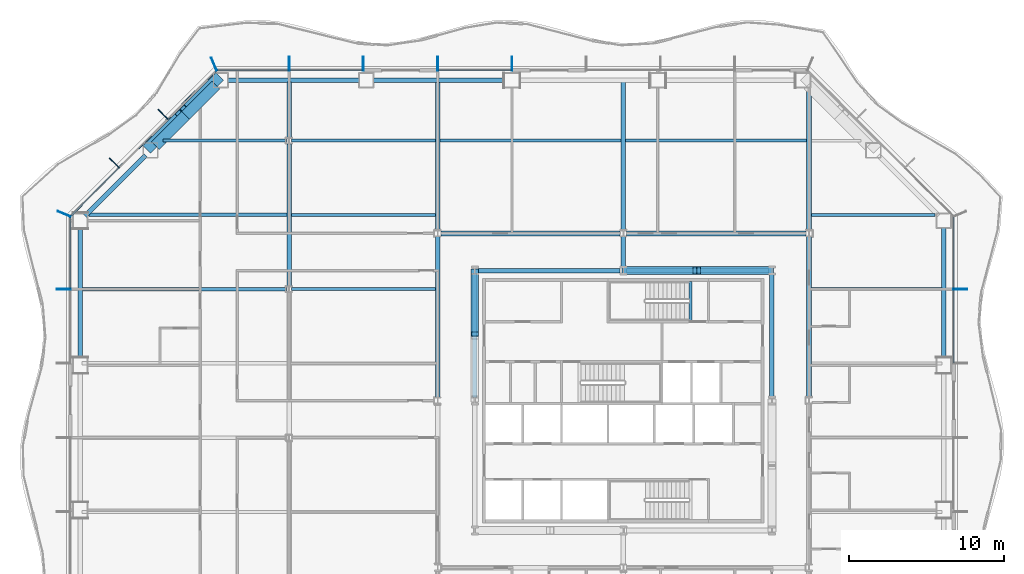
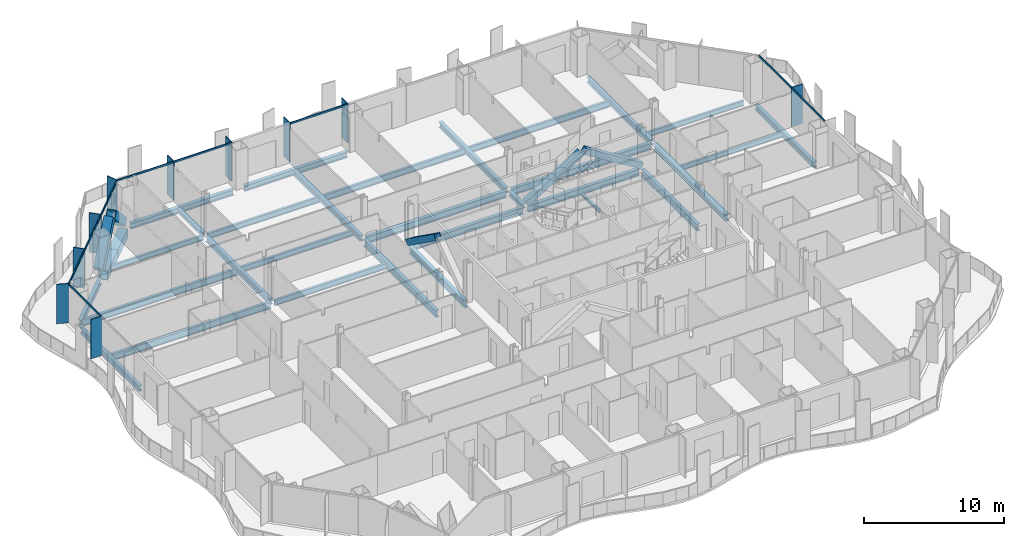
# One storey, part 3 of 21: 32 beams, 24 members, 4 elements without a shape of their own.
"""IFC4 building model written with IfcOpenShell, lengths in metres."""

from ifc_helpers import new_model, si_unit, direction, frame, origin, origin_2d, place, context, subcontext, project, spatial, rectangle, hollow_rectangle, i_section, extrude, material, material_profile, profile_set, type_object, element, aggregate, save


model = new_model("IFC4")

# Units and contexts
model_context = context("Model", 3, precision=1e-05, world=origin(), true_north=direction((0.0, 1.0)))
body_context = subcontext(model_context, "Body", "Model", "MODEL_VIEW")
ifc_project = project(units=[si_unit("LENGTHUNIT", "METRE"), si_unit("AREAUNIT", "SQUARE_METRE"), si_unit("VOLUMEUNIT", "CUBIC_METRE"), si_unit("PLANEANGLEUNIT", "RADIAN"), si_unit("MASSUNIT", "GRAM", prefix="KILO")], contexts=[model_context])

# Site, building, storey
site_placement = place(None, origin())
site = spatial("IfcSite", under=ifc_project, at=site_placement, CompositionType="ELEMENT")
building_placement = place(site_placement, origin())
building = spatial("IfcBuilding", under=site, at=building_placement, Name="Cairn Pilgrim Tower", CompositionType="ELEMENT")
storey_placement = place(building_placement, frame((0.0, 0.0, 47.39990234375)))
storey = spatial("IfcBuildingStorey", under=building, at=storey_placement, Name="L09", CompositionType="ELEMENT", Elevation=47.39990234375)

# Members
ifc_material_1 = material(Name="Structural steel S460M", Category="steel")
ifc_material_profile_1 = material_profile(ifc_material_1, hollow_rectangle(XDim=0.5, YDim=0.5, WallThickness=0.030029296875, at=origin_2d()), Name="BOX 500x500x30")
ifc_profile_set_1 = profile_set([ifc_material_profile_1], Name="Structural steel S460M")
member_type_1 = type_object("IfcMemberType", Name="BOX 500x500x30 BRACE", PredefinedType="BRACE", material=ifc_profile_set_1)
member_1_placement = place(storey_placement, frame((16.754638671875, 10.800048828125, 0.10009765625), z_axis=(-0.850917090612, 0.0, 0.525300014187), x_axis=(0.0, -1.0, 0.0)))
element("IfcMember", 1, at=member_1_placement, inside=storey, type_object=member_type_1, Name="KB-3A", PredefinedType="BRACE", context=body_context, shape_type="SweptSolid", body=[
    extrude(hollow_rectangle(XDim=0.5, YDim=0.5, WallThickness=0.030029296875, at=origin_2d()), origin(), (0.0, 0.0, 1.0), 5.525146484375),
])
member_2_placement = place(storey_placement, frame((7.245361328125, 10.800048828125, 0.10009765625), z_axis=(0.850919818074, 0.0, 0.52529559603), x_axis=(0.0, 1.0, 0.0)))
element("IfcMember", 2, at=member_2_placement, inside=storey, type_object=member_type_1, Name="KB-3B", PredefinedType="BRACE", context=body_context, shape_type="SweptSolid", body=[
    extrude(hollow_rectangle(XDim=0.5, YDim=0.5, WallThickness=0.030029296875, at=origin_2d()), origin(), (0.0, 0.0, 1.0), 5.375),
])
member_3_placement = place(storey_placement, frame((-2.39990234375, 10.754638671875, 0.10009765625), z_axis=(0.0, -0.814083383497, 0.580748004486), x_axis=(1.0, 0.0, 0.0)))
element("IfcMember", 3, at=member_3_placement, inside=storey, type_object=member_type_1, Name="KB-4A", PredefinedType="BRACE", context=body_context, shape_type="SweptSolid", body=[
    extrude(hollow_rectangle(XDim=0.5, YDim=0.5, WallThickness=0.030029296875, at=origin_2d()), origin(), (0.0, 0.0, 1.0), 4.9951171875),
])
ifc_material_profile_2 = material_profile(ifc_material_1, hollow_rectangle(XDim=0.699951171875, YDim=0.699951171875, WallThickness=0.0400390625, at=origin_2d()), Name="BOX 700x700x40")
ifc_profile_set_2 = profile_set([ifc_material_profile_2], Name="Structural steel S460M")
member_type_2 = type_object("IfcMemberType", Name="BOX 700x700x40 BRACE", PredefinedType="BRACE", material=ifc_profile_set_2)
member_4_placement = place(storey_placement, frame((-19.0498046875, 23.181396484375, 0.150146484375), z_axis=(-0.528118110354, -0.528118110354, 0.664968061663), x_axis=(0.707106781187, -0.707106781187, 0.0)))
element("IfcMember", 4, at=member_4_placement, inside=storey, type_object=member_type_2, Name="XB-NW1-NW2-1", PredefinedType="BRACE", context=body_context, shape_type="SweptSolid", body=[
    extrude(hollow_rectangle(XDim=0.699951171875, YDim=0.699951171875, WallThickness=0.0400390625, at=origin_2d()), origin(), (0.0, 0.0, 1.0), 3.89990234375),
])
member_5_placement = place(storey_placement, frame((-23.44482421875, 18.786376953125, 0.150146484375), z_axis=(0.528090425698, 0.528090425698, 0.665012033404), x_axis=(-0.707106781187, 0.707106781187, 0.0)))
element("IfcMember", 5, at=member_5_placement, inside=storey, type_object=member_type_2, Name="XB-NW1-NW2-2", PredefinedType="BRACE", context=body_context, shape_type="SweptSolid", body=[
    extrude(hollow_rectangle(XDim=0.699951171875, YDim=0.699951171875, WallThickness=0.0400390625, at=origin_2d()), origin(), (0.0, 0.0, 1.0), 3.899658203125),
])

# Beams
ifc_material_2 = material(Name="Structural steel S355J2", Category="steel")
ifc_material_profile_3 = material_profile(ifc_material_2, hollow_rectangle(XDim=0.699951171875, YDim=0.800048828125, WallThickness=0.0400390625, at=origin_2d()), Name="BOX 700x800x40")
ifc_profile_set_3 = profile_set([ifc_material_profile_3], Name="Structural steel S355J2")
beam_type_1 = type_object("IfcBeamType", Name="BOX 700x800x40 RING GIRDER", PredefinedType="SPANDREL", material=ifc_profile_set_3)
for number, where, z_axis, x_axis, name in (
    (6, (-19.1455078125, 22.78173828125, -0.5498046875), (-0.707106781187, -0.707106781187, 0.0), (0.707106781187, -0.707106781187, 0.0), "RG1-NW1-NW2-1"),
    (7, (-21.095458984375, 20.831787109375, -0.5498046875), (-0.707106781187, -0.707106781187, 0.0), (0.707106781187, -0.707106781187, 0.0), "RG1-NW1-NW2-2"),
):
    element("IfcBeam", number, at=place(storey_placement, frame(where, z_axis=z_axis, x_axis=x_axis)), inside=storey, type_object=beam_type_1, Name=name, PredefinedType="SPANDREL", context=body_context, shape_type="SweptSolid", body=[
        extrude(hollow_rectangle(XDim=0.699951171875, YDim=0.800048828125, WallThickness=0.0400390625, at=origin_2d()), origin(), (0.0, 0.0, 1.0), 2.757568359375),
    ])

# Curtain wall, member
ifc_material_3 = material(Name="Aluminium alloy 6063-T6 bronze anodised with Bronze tinted laminated low-E glass 8+16+8.8", Category="aluminium")
curtain_wall_type_1 = type_object("IfcCurtainWallType", Name="TOWER STICK CURTAIN WALL EW", PredefinedType="NOTDEFINED", material=ifc_material_3)
curtain_wall_1_placement = place(storey_placement, origin())
curtain_wall_1 = element("IfcCurtainWall", 8, at=curtain_wall_1_placement, inside=storey, type_object=curtain_wall_type_1, Name="Tower Stick Curtain Wall Ew E", PredefinedType="NOTDEFINED")
ifc_material_4 = material(Name="Aluminium alloy 6063-T6 bronze anodised", Category="aluminium")
ifc_material_profile_4 = material_profile(ifc_material_4, rectangle(XDim=0.89990234375, YDim=0.06005859375, at=origin_2d()), Name="FIN MULLION 60x900 BRONZE")
ifc_profile_set_4 = profile_set([ifc_material_profile_4], Name="Aluminium alloy 6063-T6 bronze anodised")
member_type_3 = type_object("IfcMemberType", Name="FIN MULLION 60x900 BRONZE", PredefinedType="MULLION", material=ifc_profile_set_4)
member_6_placement = place(storey_placement, frame((28.969970703125, 9.60009765625, 0.0), z_axis=(0.0, 0.0, 1.0), x_axis=(1.0, 0.0, 0.0)))
member_6 = element("IfcMember", 9, at=member_6_placement, type_object=member_type_3, Name="Fin mullion E6", PredefinedType="MULLION", context=body_context, shape_type="SweptSolid", body=[
    extrude(rectangle(XDim=0.89990234375, YDim=0.06005859375, at=origin_2d()), origin(), (0.0, 0.0, 1.0), 3.4501953125),
])

# Curtain wall, members
curtain_wall_type_2 = type_object("IfcCurtainWallType", Name="TOWER STICK CURTAIN WALL NS", PredefinedType="NOTDEFINED", material=ifc_material_3)
curtain_wall_2_placement = place(storey_placement, origin())
curtain_wall_2 = element("IfcCurtainWall", 10, at=curtain_wall_2_placement, inside=storey, type_object=curtain_wall_type_2, Name="Tower Stick Curtain Wall Ns N", PredefinedType="NOTDEFINED")
member_7_placement = place(storey_placement, frame((0.0, 24.169921875, 0.0), z_axis=(0.0, 0.0, 1.0), x_axis=(0.0, 1.0, 0.0)))
member_7 = element("IfcMember", 11, at=member_7_placement, type_object=member_type_3, Name="Fin mullion N5", PredefinedType="MULLION", context=body_context, shape_type="SweptSolid", body=[
    extrude(rectangle(XDim=0.89990234375, YDim=0.06005859375, at=origin_2d()), origin(), (0.0, 0.0, 1.0), 3.4501953125),
])
member_8_placement = place(storey_placement, frame((-4.800048828125, 24.169921875, 0.0), z_axis=(0.0, 0.0, 1.0), x_axis=(0.0, 1.0, 0.0)))
member_8 = element("IfcMember", 12, at=member_8_placement, type_object=member_type_3, Name="Fin mullion N6", PredefinedType="MULLION", context=body_context, shape_type="SweptSolid", body=[
    extrude(rectangle(XDim=0.89990234375, YDim=0.06005859375, at=origin_2d()), origin(), (0.0, 0.0, 1.0), 3.4501953125),
])
member_9_placement = place(storey_placement, frame((-9.60009765625, 24.169921875, 0.0), z_axis=(0.0, 0.0, 1.0), x_axis=(0.0, 1.0, 0.0)))
member_9 = element("IfcMember", 13, at=member_9_placement, type_object=member_type_3, Name="Fin mullion N7", PredefinedType="MULLION", context=body_context, shape_type="SweptSolid", body=[
    extrude(rectangle(XDim=0.89990234375, YDim=0.06005859375, at=origin_2d()), origin(), (0.0, 0.0, 1.0), 3.4501953125),
])
member_10_placement = place(storey_placement, frame((-14.39990234375, 24.169921875, 0.0), z_axis=(0.0, 0.0, 1.0), x_axis=(0.0, 1.0, 0.0)))
member_10 = element("IfcMember", 14, at=member_10_placement, type_object=member_type_3, Name="Fin mullion N8", PredefinedType="MULLION", context=body_context, shape_type="SweptSolid", body=[
    extrude(rectangle(XDim=0.89990234375, YDim=0.06005859375, at=origin_2d()), origin(), (0.0, 0.0, 1.0), 3.4501953125),
])

curtain_wall_type_3 = type_object("IfcCurtainWallType", Name="CHAMFER CORNER CURTAIN WALL", PredefinedType="NOTDEFINED", material=ifc_material_3)
curtain_wall_3_placement = place(storey_placement, origin())
curtain_wall_3 = element("IfcCurtainWall", 15, at=curtain_wall_3_placement, inside=storey, type_object=curtain_wall_type_3, Name="Chamfer Corner Curtain Wall NW", PredefinedType="NOTDEFINED")
member_11_placement = place(storey_placement, frame((-19.257080078125, 24.137939453125, 0.0), z_axis=(0.0, 0.0, 1.0), x_axis=(-0.382683432365, 0.923879532511, 0.0)))
member_11 = element("IfcMember", 16, at=member_11_placement, type_object=member_type_3, Name="Fin mullion NW1", PredefinedType="MULLION", context=body_context, shape_type="SweptSolid", body=[
    extrude(rectangle(XDim=0.89990234375, YDim=0.06005859375, at=origin_2d()), origin(), (0.0, 0.0, 1.0), 3.4501953125),
])
member_12_placement = place(storey_placement, frame((-22.544677734375, 20.895751953125, 0.0), z_axis=(0.0, 0.0, 1.0), x_axis=(-0.707106781187, 0.707106781187, 0.0)))
member_12 = element("IfcMember", 17, at=member_12_placement, type_object=member_type_3, Name="Fin mullion NW2", PredefinedType="MULLION", context=body_context, shape_type="SweptSolid", body=[
    extrude(rectangle(XDim=0.89990234375, YDim=0.06005859375, at=origin_2d()), origin(), (0.0, 0.0, 1.0), 3.4501953125),
])
member_13_placement = place(storey_placement, frame((-25.69580078125, 17.74462890625, 0.0), z_axis=(0.0, 0.0, 1.0), x_axis=(-0.707106781187, 0.707106781187, 0.0)))
member_13 = element("IfcMember", 18, at=member_13_placement, type_object=member_type_3, Name="Fin mullion NW3", PredefinedType="MULLION", context=body_context, shape_type="SweptSolid", body=[
    extrude(rectangle(XDim=0.89990234375, YDim=0.06005859375, at=origin_2d()), origin(), (0.0, 0.0, 1.0), 3.4501953125),
])

curtain_wall_4_placement = place(storey_placement, origin())
curtain_wall_4 = element("IfcCurtainWall", 19, at=curtain_wall_4_placement, inside=storey, type_object=curtain_wall_type_1, Name="Tower Stick Curtain Wall Ew W", PredefinedType="NOTDEFINED")
member_14_placement = place(storey_placement, frame((-28.93798828125, 14.457275390625, 0.0), z_axis=(0.0, 0.0, 1.0), x_axis=(-0.923879532511, 0.382683432365, 0.0)))
member_14 = element("IfcMember", 20, at=member_14_placement, type_object=member_type_3, Name="Fin mullion W1", PredefinedType="MULLION", context=body_context, shape_type="SweptSolid", body=[
    extrude(rectangle(XDim=0.89990234375, YDim=0.06005859375, at=origin_2d()), origin(), (0.0, 0.0, 1.0), 3.4501953125),
])
member_15_placement = place(storey_placement, frame((-28.969970703125, 9.60009765625, 0.0), z_axis=(0.0, 0.0, 1.0), x_axis=(-1.0, 0.0, 0.0)))
member_15 = element("IfcMember", 21, at=member_15_placement, type_object=member_type_3, Name="Fin mullion W2", PredefinedType="MULLION", context=body_context, shape_type="SweptSolid", body=[
    extrude(rectangle(XDim=0.89990234375, YDim=0.06005859375, at=origin_2d()), origin(), (0.0, 0.0, 1.0), 3.4501953125),
])

# Beams
ifc_material_profile_5 = material_profile(ifc_material_2, i_section(OverallWidth=0.300048828125, OverallDepth=0.39990234375, WebThickness=0.013427734375, FlangeThickness=0.02392578125, FilletRadius=0.027099609375, at=origin_2d()), Name="HEB 400")
ifc_profile_set_5 = profile_set([ifc_material_profile_5], Name="Structural steel S355J2")
beam_type_2 = type_object("IfcBeamType", Name="HEB 400 GIRDER", PredefinedType="BEAM", material=ifc_profile_set_5)
beam_1_placement = place(storey_placement, frame((-14.39990234375, 19.404541015625, -0.349853515625), z_axis=(0.0, 1.0, 0.0), x_axis=(-1.0, 0.0, 0.0)))
element("IfcBeam", 22, at=beam_1_placement, inside=storey, type_object=beam_type_2, Name="PG1-6", PredefinedType="BEAM", context=body_context, shape_type="SweptSolid", body=[
    extrude(i_section(OverallWidth=0.300048828125, OverallDepth=0.39990234375, WebThickness=0.013427734375, FlangeThickness=0.02392578125, FilletRadius=0.027099609375, at=origin_2d()), origin(), (0.0, 0.0, 1.0), 3.575439453125),
])
beam_2_placement = place(storey_placement, frame((7.199951171875, 11.027099609375, -0.349853515625), z_axis=(0.0, 1.0, 0.0), x_axis=(-1.0, 0.0, 0.0)))
element("IfcBeam", 23, at=beam_2_placement, inside=storey, type_object=beam_type_2, Name="PG3-E2", PredefinedType="BEAM", context=body_context, shape_type="SweptSolid", body=[
    extrude(i_section(OverallWidth=0.300048828125, OverallDepth=0.39990234375, WebThickness=0.013427734375, FlangeThickness=0.02392578125, FilletRadius=0.027099609375, at=origin_2d()), origin(), (0.0, 0.0, 1.0), 1.9609375),
])
ifc_material_profile_6 = material_profile(ifc_material_2, i_section(OverallWidth=0.300048828125, OverallDepth=0.5, WebThickness=0.014404296875, FlangeThickness=0.028076171875, FilletRadius=0.027099609375, at=origin_2d()), Name="HEB 500")
ifc_profile_set_6 = profile_set([ifc_material_profile_6], Name="Structural steel S355J2")
beam_type_3 = type_object("IfcBeamType", Name="HEB 500 GIRDER", PredefinedType="BEAM", material=ifc_profile_set_6)
beam_3_placement = place(storey_placement, frame((-14.39990234375, 9.804443359375, -0.39990234375), z_axis=(0.0, 1.0, 0.0), x_axis=(-1.0, 0.0, 0.0)))
element("IfcBeam", 24, at=beam_3_placement, inside=storey, type_object=beam_type_3, Name="PG1-5", PredefinedType="BEAM", context=body_context, shape_type="SweptSolid", body=[
    extrude(i_section(OverallWidth=0.300048828125, OverallDepth=0.5, WebThickness=0.014404296875, FlangeThickness=0.028076171875, FilletRadius=0.027099609375, at=origin_2d()), origin(), (0.0, 0.0, 1.0), 9.191162109375),
])
for number, where, z_axis, x_axis, name in (
    (25, (-4.800048828125, 13.412109375, -0.39990234375), (0.0, 1.0, 0.0), (-1.0, 0.0, 0.0), "PG2-4"),
    (26, (7.199951171875, 13.412109375, -0.39990234375), (0.0, 1.0, 0.0), (-1.0, 0.0, 0.0), "PG3-2"),
):
    element("IfcBeam", number, at=place(storey_placement, frame(where, z_axis=z_axis, x_axis=x_axis)), inside=storey, type_object=beam_type_3, Name=name, PredefinedType="BEAM", context=body_context, shape_type="SweptSolid", body=[
        extrude(i_section(OverallWidth=0.300048828125, OverallDepth=0.5, WebThickness=0.014404296875, FlangeThickness=0.028076171875, FilletRadius=0.027099609375, at=origin_2d()), origin(), (0.0, 0.0, 1.0), 9.56787109375),
    ])
beam_4_placement = place(storey_placement, frame((19.199951171875, 13.412109375, -0.39990234375), z_axis=(0.0, 1.0, 0.0), x_axis=(-1.0, 0.0, 0.0)))
element("IfcBeam", 27, at=beam_4_placement, inside=storey, type_object=beam_type_3, Name="PG4-4", PredefinedType="BEAM", context=body_context, shape_type="SweptSolid", body=[
    extrude(i_section(OverallWidth=0.300048828125, OverallDepth=0.5, WebThickness=0.014404296875, FlangeThickness=0.028076171875, FilletRadius=0.027099609375, at=origin_2d()), origin(), (0.0, 0.0, 1.0), 9.133056640625),
])
ifc_material_profile_7 = material_profile(ifc_material_2, i_section(OverallWidth=0.300048828125, OverallDepth=0.5, WebThickness=0.014404296875, FlangeThickness=0.028076171875, FilletRadius=0.027099609375, at=origin_2d()), Name="HEB 500")
ifc_profile_set_7 = profile_set([ifc_material_profile_7], Name="Structural steel S355J2")
beam_type_4 = type_object("IfcBeamType", Name="HEB 500 RING GIRDER", PredefinedType="SPANDREL", material=ifc_profile_set_7)
beam_5_placement = place(storey_placement, frame((27.89990234375, 5.125732421875, -0.39990234375), z_axis=(0.0, 1.0, 0.0), x_axis=(-1.0, 0.0, 0.0)))
element("IfcBeam", 28, at=beam_5_placement, inside=storey, type_object=beam_type_4, Name="RG1-E3-NE1", PredefinedType="SPANDREL", context=body_context, shape_type="SweptSolid", body=[
    extrude(i_section(OverallWidth=0.300048828125, OverallDepth=0.5, WebThickness=0.014404296875, FlangeThickness=0.028076171875, FilletRadius=0.027099609375, at=origin_2d()), origin(), (0.0, 0.0, 1.0), 8.451416015625),
])
for number, where, z_axis, x_axis, name in (
    (29, (-0.449951171875, 23.10009765625, -0.39990234375), (-1.0, 0.0, 0.0), (0.0, -1.0, 0.0), "RG1-N3-N4"),
    (30, (-9.863525390625, 23.10009765625, -0.39990234375), (-1.0, 0.0, 0.0), (0.0, -1.0, 0.0), "RG1-N4-NW1"),
):
    element("IfcBeam", number, at=place(storey_placement, frame(where, z_axis=z_axis, x_axis=x_axis)), inside=storey, type_object=beam_type_4, Name=name, PredefinedType="SPANDREL", context=body_context, shape_type="SweptSolid", body=[
        extrude(i_section(OverallWidth=0.300048828125, OverallDepth=0.5, WebThickness=0.014404296875, FlangeThickness=0.028076171875, FilletRadius=0.027099609375, at=origin_2d()), origin(), (0.0, 0.0, 1.0), 8.513671875),
    ])
beam_6_placement = place(storey_placement, frame((-23.681884765625, 18.245361328125, -0.39990234375), z_axis=(-0.707106781187, -0.707106781187, 0.0), x_axis=(0.707106781187, -0.707106781187, 0.0)))
element("IfcBeam", 31, at=beam_6_placement, inside=storey, type_object=beam_type_4, Name="RG1-NW2-W1", PredefinedType="SPANDREL", context=body_context, shape_type="SweptSolid", body=[
    extrude(i_section(OverallWidth=0.300048828125, OverallDepth=0.5, WebThickness=0.014404296875, FlangeThickness=0.028076171875, FilletRadius=0.027099609375, at=origin_2d()), origin(), (0.0, 0.0, 1.0), 5.515380859375),
])
beam_7_placement = place(storey_placement, frame((-27.89990234375, 13.5771484375, -0.39990234375), z_axis=(0.0, -1.0, 0.0), x_axis=(1.0, 0.0, 0.0)))
element("IfcBeam", 32, at=beam_7_placement, inside=storey, type_object=beam_type_4, Name="RG1-W1-W2", PredefinedType="SPANDREL", context=body_context, shape_type="SweptSolid", body=[
    extrude(i_section(OverallWidth=0.300048828125, OverallDepth=0.5, WebThickness=0.014404296875, FlangeThickness=0.028076171875, FilletRadius=0.027099609375, at=origin_2d()), origin(), (0.0, 0.0, 1.0), 8.451416015625),
])
ifc_material_profile_8 = material_profile(ifc_material_2, i_section(OverallWidth=0.300048828125, OverallDepth=0.60009765625, WebThickness=0.015380859375, FlangeThickness=0.030029296875, FilletRadius=0.027099609375, at=origin_2d()), Name="HEB 600")
ifc_profile_set_8 = profile_set([ifc_material_profile_8], Name="Structural steel S355J2")
beam_type_5 = type_object("IfcBeamType", Name="HEB 600 CORE BEAM", PredefinedType="BEAM", material=ifc_profile_set_8)
beam_8_placement = place(storey_placement, frame((16.800048828125, 2.604248046875, -0.449951171875), z_axis=(0.0, 1.0, 0.0), x_axis=(-1.0, 0.0, 0.0)))
element("IfcBeam", 33, at=beam_8_placement, inside=storey, type_object=beam_type_5, Name="CB-4", PredefinedType="BEAM", context=body_context, shape_type="SweptSolid", body=[
    extrude(i_section(OverallWidth=0.300048828125, OverallDepth=0.60009765625, WebThickness=0.015380859375, FlangeThickness=0.030029296875, FilletRadius=0.027099609375, at=origin_2d()), origin(), (0.0, 0.0, 1.0), 7.991455078125),
])
for number, where, z_axis, x_axis, name in (
    (34, (16.595703125, 10.800048828125, -0.449951171875), (-1.0, 0.0, 0.0), (0.0, -1.0, 0.0), "CB-5"),
    (35, (6.99560546875, 10.800048828125, -0.449951171875), (-1.0, 0.0, 0.0), (0.0, -1.0, 0.0), "CB-6"),
):
    element("IfcBeam", number, at=place(storey_placement, frame(where, z_axis=z_axis, x_axis=x_axis)), inside=storey, type_object=beam_type_5, Name=name, PredefinedType="BEAM", context=body_context, shape_type="SweptSolid", body=[
        extrude(i_section(OverallWidth=0.300048828125, OverallDepth=0.60009765625, WebThickness=0.015380859375, FlangeThickness=0.030029296875, FilletRadius=0.027099609375, at=origin_2d()), origin(), (0.0, 0.0, 1.0), 9.19140625),
    ])
beam_9_placement = place(storey_placement, frame((-2.39990234375, 10.595703125, -0.449951171875), z_axis=(0.0, -1.0, 0.0), x_axis=(1.0, 0.0, 0.0)))
element("IfcBeam", 36, at=beam_9_placement, inside=storey, type_object=beam_type_5, Name="CB-7", PredefinedType="BEAM", context=body_context, shape_type="SweptSolid", body=[
    extrude(i_section(OverallWidth=0.300048828125, OverallDepth=0.60009765625, WebThickness=0.015380859375, FlangeThickness=0.030029296875, FilletRadius=0.027099609375, at=origin_2d()), origin(), (0.0, 0.0, 1.0), 7.991455078125),
])
ifc_material_profile_9 = material_profile(ifc_material_2, i_section(OverallWidth=0.300048828125, OverallDepth=0.60009765625, WebThickness=0.015380859375, FlangeThickness=0.030029296875, FilletRadius=0.027099609375, at=origin_2d()), Name="HEB 600")
ifc_profile_set_9 = profile_set([ifc_material_profile_9], Name="Structural steel S355J2")
beam_type_6 = type_object("IfcBeamType", Name="HEB 600 GIRDER", PredefinedType="BEAM", material=ifc_profile_set_9)
for number, where, z_axis, x_axis, name in (
    (37, (-4.800048828125, 2.612060546875, -0.449951171875), (0.0, 1.0, 0.0), (-1.0, 0.0, 0.0), "PG2-3"),
    (38, (19.199951171875, 2.612060546875, -0.449951171875), (0.0, 1.0, 0.0), (-1.0, 0.0, 0.0), "PG4-3"),
):
    element("IfcBeam", number, at=place(storey_placement, frame(where, z_axis=z_axis, x_axis=x_axis)), inside=storey, type_object=beam_type_6, Name=name, PredefinedType="BEAM", context=body_context, shape_type="SweptSolid", body=[
        extrude(i_section(OverallWidth=0.300048828125, OverallDepth=0.60009765625, WebThickness=0.015380859375, FlangeThickness=0.030029296875, FilletRadius=0.027099609375, at=origin_2d()), origin(), (0.0, 0.0, 1.0), 10.3759765625),
    ])
ifc_material_profile_10 = material_profile(ifc_material_2, i_section(OverallWidth=0.300048828125, OverallDepth=0.60009765625, WebThickness=0.015380859375, FlangeThickness=0.030029296875, FilletRadius=0.027099609375, at=origin_2d()), Name="HEB 600")
ifc_profile_set_10 = profile_set([ifc_material_profile_10], Name="Structural steel S355J2")
beam_type_7 = type_object("IfcBeamType", Name="HEB 600 INNER GIRDER", PredefinedType="BEAM", material=ifc_profile_set_10)
for number, where, z_axis, x_axis, name in (
    (39, (-4.587890625, 13.199951171875, -0.449951171875), (1.0, 0.0, 0.0), (0.0, 1.0, 0.0), "IG2-1"),
    (40, (7.412109375, 13.199951171875, -0.449951171875), (1.0, 0.0, 0.0), (0.0, 1.0, 0.0), "IG2-2"),
):
    element("IfcBeam", number, at=place(storey_placement, frame(where, z_axis=z_axis, x_axis=x_axis)), inside=storey, type_object=beam_type_7, Name=name, PredefinedType="BEAM", context=body_context, shape_type="SweptSolid", body=[
        extrude(i_section(OverallWidth=0.300048828125, OverallDepth=0.60009765625, WebThickness=0.015380859375, FlangeThickness=0.030029296875, FilletRadius=0.027099609375, at=origin_2d()), origin(), (0.0, 0.0, 1.0), 11.575927734375),
    ])
ifc_material_profile_11 = material_profile(ifc_material_2, i_section(OverallWidth=0.18994140625, OverallDepth=0.449951171875, WebThickness=0.009521484375, FlangeThickness=0.0146484375, FilletRadius=0.02099609375, at=origin_2d()), Name="IPE 450")
ifc_profile_set_11 = profile_set([ifc_material_profile_11], Name="Structural steel S355J2")
beam_type_8 = type_object("IfcBeamType", Name="IPE 450 SECONDARY BEAM", PredefinedType="JOIST", material=ifc_profile_set_11)
beam_10_placement = place(storey_placement, frame((19.35009765625, 9.60009765625, -0.375), z_axis=(1.0, 0.0, 0.0), x_axis=(0.0, 1.0, 0.0)))
element("IfcBeam", 41, at=beam_10_placement, inside=storey, type_object=beam_type_8, Name="SB7-3", PredefinedType="JOIST", context=body_context, shape_type="SweptSolid", body=[
    extrude(i_section(OverallWidth=0.18994140625, OverallDepth=0.449951171875, WebThickness=0.009521484375, FlangeThickness=0.0146484375, FilletRadius=0.02099609375, at=origin_2d()), origin(), (0.0, 0.0, 1.0), 8.429931640625),
])
for number, where, z_axis, x_axis, name in (
    (42, (19.35009765625, 14.39990234375, -0.375), (1.0, 0.0, 0.0), (0.0, 1.0, 0.0), "SB8-3"),
    (43, (-22.545166015625, 19.199951171875, -0.375), (1.0, 0.0, 0.0), (0.0, 1.0, 0.0), "SB9-1"),
):
    element("IfcBeam", number, at=place(storey_placement, frame(where, z_axis=z_axis, x_axis=x_axis)), inside=storey, type_object=beam_type_8, Name=name, PredefinedType="JOIST", context=body_context, shape_type="SweptSolid", body=[
        extrude(i_section(OverallWidth=0.18994140625, OverallDepth=0.449951171875, WebThickness=0.009521484375, FlangeThickness=0.0146484375, FilletRadius=0.02099609375, at=origin_2d()), origin(), (0.0, 0.0, 1.0), 7.9951171875),
    ])
ifc_material_profile_12 = material_profile(ifc_material_2, i_section(OverallWidth=0.199951171875, OverallDepth=0.5, WebThickness=0.01025390625, FlangeThickness=0.01611328125, FilletRadius=0.02099609375, at=origin_2d()), Name="IPE 500")
ifc_profile_set_12 = profile_set([ifc_material_profile_12], Name="Structural steel S355J2")
beam_type_9 = type_object("IfcBeamType", Name="IPE 500 SECONDARY BEAM", PredefinedType="JOIST", material=ifc_profile_set_12)
for number, where, z_axis, x_axis, name in (
    (44, (-14.25, 9.60009765625, -0.39990234375), (1.0, 0.0, 0.0), (0.0, 1.0, 0.0), "SB7-2"),
    (45, (-14.25, 14.39990234375, -0.39990234375), (1.0, 0.0, 0.0), (0.0, 1.0, 0.0), "SB8-2"),
    (46, (-14.25, 19.199951171875, -0.39990234375), (1.0, 0.0, 0.0), (0.0, 1.0, 0.0), "SB9-2"),
):
    element("IfcBeam", number, at=place(storey_placement, frame(where, z_axis=z_axis, x_axis=x_axis)), inside=storey, type_object=beam_type_9, Name=name, PredefinedType="JOIST", context=body_context, shape_type="SweptSolid", body=[
        extrude(i_section(OverallWidth=0.199951171875, OverallDepth=0.5, WebThickness=0.01025390625, FlangeThickness=0.01611328125, FilletRadius=0.02099609375, at=origin_2d()), origin(), (0.0, 0.0, 1.0), 9.300048828125),
    ])
ifc_material_profile_13 = material_profile(ifc_material_2, i_section(OverallWidth=0.2099609375, OverallDepth=0.550048828125, WebThickness=0.010986328125, FlangeThickness=0.01708984375, FilletRadius=0.02392578125, at=origin_2d()), Name="IPE 550")
ifc_profile_set_13 = profile_set([ifc_material_profile_13], Name="Structural steel S355J2")
beam_type_10 = type_object("IfcBeamType", Name="IPE 550 SECONDARY BEAM", PredefinedType="JOIST", material=ifc_profile_set_13)
for number, where, z_axis, x_axis, name in (
    (47, (-4.64990234375, 19.199951171875, -0.4248046875), (1.0, 0.0, 0.0), (0.0, 1.0, 0.0), "SB9-3"),
    (48, (7.35009765625, 19.199951171875, -0.4248046875), (1.0, 0.0, 0.0), (0.0, 1.0, 0.0), "SB9-4"),
):
    element("IfcBeam", number, at=place(storey_placement, frame(where, z_axis=z_axis, x_axis=x_axis)), inside=storey, type_object=beam_type_10, Name=name, PredefinedType="JOIST", context=body_context, shape_type="SweptSolid", body=[
        extrude(i_section(OverallWidth=0.2099609375, OverallDepth=0.550048828125, WebThickness=0.010986328125, FlangeThickness=0.01708984375, FilletRadius=0.02392578125, at=origin_2d()), origin(), (0.0, 0.0, 1.0), 11.699951171875),
    ])
ifc_material_profile_14 = material_profile(ifc_material_2, i_section(OverallWidth=0.219970703125, OverallDepth=0.60009765625, WebThickness=0.011962890625, FlangeThickness=0.01904296875, FilletRadius=0.02392578125, at=origin_2d()), Name="IPE 600")
ifc_profile_set_14 = profile_set([ifc_material_profile_14], Name="Structural steel S355J2")
beam_type_11 = type_object("IfcBeamType", Name="IPE 600 SECONDARY BEAM", PredefinedType="JOIST", material=ifc_profile_set_14)
beam_11_placement = place(storey_placement, frame((-27.780029296875, 9.60009765625, -0.449951171875), z_axis=(1.0, 0.0, 0.0), x_axis=(0.0, 1.0, 0.0)))
element("IfcBeam", 49, at=beam_11_placement, inside=storey, type_object=beam_type_11, Name="SB7-1", PredefinedType="JOIST", context=body_context, shape_type="SweptSolid", body=[
    extrude(i_section(OverallWidth=0.219970703125, OverallDepth=0.60009765625, WebThickness=0.011962890625, FlangeThickness=0.01904296875, FilletRadius=0.02392578125, at=origin_2d()), origin(), (0.0, 0.0, 1.0), 13.22998046875),
])
beam_12_placement = place(storey_placement, frame((-27.34521484375, 14.39990234375, -0.449951171875), z_axis=(1.0, 0.0, 0.0), x_axis=(0.0, 1.0, 0.0)))
element("IfcBeam", 50, at=beam_12_placement, inside=storey, type_object=beam_type_11, Name="SB8-1", PredefinedType="JOIST", context=body_context, shape_type="SweptSolid", body=[
    extrude(i_section(OverallWidth=0.219970703125, OverallDepth=0.60009765625, WebThickness=0.011962890625, FlangeThickness=0.01904296875, FilletRadius=0.02392578125, at=origin_2d()), origin(), (0.0, 0.0, 1.0), 12.795166015625),
])
ifc_material_profile_15 = material_profile(ifc_material_2, i_section(OverallWidth=0.199951171875, OverallDepth=0.199951171875, WebThickness=0.009033203125, FlangeThickness=0.014892578125, FilletRadius=0.01806640625, at=origin_2d()), Name="HE 200 B")
ifc_profile_set_15 = profile_set([ifc_material_profile_15], Name="Structural steel S355J2")
beam_type_12 = type_object("IfcBeamType", Name="STAIR LANDING BEAM HE 200 B", PredefinedType="BEAM", material=ifc_profile_set_15)
beam_13_placement = place(storey_placement, frame((11.5244140625, 10.10009765625, -0.25), z_axis=(0.0, -1.0, 0.0), x_axis=(1.0, 0.0, 0.0)))
element("IfcBeam", 51, at=beam_13_placement, inside=storey, type_object=beam_type_12, Name="STAIR LANDING BEAM LD-HE200B", PredefinedType="BEAM", context=body_context, shape_type="SweptSolid", body=[
    extrude(i_section(OverallWidth=0.199951171875, OverallDepth=0.199951171875, WebThickness=0.009033203125, FlangeThickness=0.014892578125, FilletRadius=0.01806640625, at=origin_2d()), origin(), (0.0, 0.0, 1.0), 2.525146484375),
])

# Member
ifc_material_profile_16 = material_profile(ifc_material_4, rectangle(XDim=0.080078125, YDim=0.14990234375, at=origin_2d()), Name="TRANSOM 80x150 BRONZE")
ifc_profile_set_16 = profile_set([ifc_material_profile_16], Name="Aluminium alloy 6063-T6 bronze anodised")
member_type_4 = type_object("IfcMemberType", Name="TRANSOM 80x150 BRONZE", PredefinedType="USERDEFINED", material=ifc_profile_set_16)
member_16_placement = place(storey_placement, frame((28.550048828125, 4.830078125, 3.375), z_axis=(0.0, 1.0, 0.0), x_axis=(-1.0, 0.0, 0.0)))
member_16 = element("IfcMember", 52, at=member_16_placement, type_object=member_type_4, Name="Transom E5", ObjectType="TRANSOM", PredefinedType="USERDEFINED", context=body_context, shape_type="SweptSolid", body=[
    extrude(rectangle(XDim=0.080078125, YDim=0.14990234375, at=origin_2d()), origin(), (0.0, 0.0, 1.0), 4.739990234375),
])

member_17_placement = place(storey_placement, frame((28.550048828125, 9.6298828125, 3.375), z_axis=(0.0, 1.0, 0.0), x_axis=(-1.0, 0.0, 0.0)))
member_17 = element("IfcMember", 53, at=member_17_placement, type_object=member_type_4, Name="Transom E6", ObjectType="TRANSOM", PredefinedType="USERDEFINED", context=body_context, shape_type="SweptSolid", body=[
    extrude(rectangle(XDim=0.080078125, YDim=0.14990234375, at=origin_2d()), origin(), (0.0, 0.0, 1.0), 4.62646484375),
])

aggregate(curtain_wall_1, [member_6, member_16, member_17])

member_18_placement = place(storey_placement, frame((-0.030029296875, 23.75, 3.375), z_axis=(-1.0, 0.0, 0.0), x_axis=(0.0, -1.0, 0.0)))
member_18 = element("IfcMember", 54, at=member_18_placement, type_object=member_type_4, Name="Transom N5", ObjectType="TRANSOM", PredefinedType="USERDEFINED", context=body_context, shape_type="SweptSolid", body=[
    extrude(rectangle(XDim=0.080078125, YDim=0.14990234375, at=origin_2d()), origin(), (0.0, 0.0, 1.0), 4.739990234375),
])

member_19_placement = place(storey_placement, frame((-9.6298828125, 23.75, 3.375), z_axis=(-1.0, 0.0, 0.0), x_axis=(0.0, -1.0, 0.0)))
member_19 = element("IfcMember", 55, at=member_19_placement, type_object=member_type_4, Name="Transom N7", ObjectType="TRANSOM", PredefinedType="USERDEFINED", context=body_context, shape_type="SweptSolid", body=[
    extrude(rectangle(XDim=0.080078125, YDim=0.14990234375, at=origin_2d()), origin(), (0.0, 0.0, 1.0), 4.740234375),
])

member_20_placement = place(storey_placement, frame((-14.429931640625, 23.75, 3.375), z_axis=(-1.0, 0.0, 0.0), x_axis=(0.0, -1.0, 0.0)))
member_20 = element("IfcMember", 56, at=member_20_placement, type_object=member_type_4, Name="Transom N8", ObjectType="TRANSOM", PredefinedType="USERDEFINED", context=body_context, shape_type="SweptSolid", body=[
    extrude(rectangle(XDim=0.080078125, YDim=0.14990234375, at=origin_2d()), origin(), (0.0, 0.0, 1.0), 4.62646484375),
])

aggregate(curtain_wall_2, [member_7, member_8, member_9, member_10, member_18, member_19, member_20])

member_21_placement = place(storey_placement, frame((-19.124755859375, 23.7216796875, 3.375), z_axis=(-0.707106781187, -0.707106781187, 0.0), x_axis=(0.707106781187, -0.707106781187, 0.0)))
member_21 = element("IfcMember", 57, at=member_21_placement, type_object=member_type_4, Name="Transom NW1", ObjectType="TRANSOM", PredefinedType="USERDEFINED", context=body_context, shape_type="SweptSolid", body=[
    extrude(rectangle(XDim=0.080078125, YDim=0.14990234375, at=origin_2d()), origin(), (0.0, 0.0, 1.0), 4.38623046875),
])

member_22_placement = place(storey_placement, frame((-22.268798828125, 20.57763671875, 3.375), z_axis=(-0.707106781187, -0.707106781187, 0.0), x_axis=(0.707106781187, -0.707106781187, 0.0)))
member_22 = element("IfcMember", 58, at=member_22_placement, type_object=member_type_4, Name="Transom NW2", ObjectType="TRANSOM", PredefinedType="USERDEFINED", context=body_context, shape_type="SweptSolid", body=[
    extrude(rectangle(XDim=0.080078125, YDim=0.14990234375, at=origin_2d()), origin(), (0.0, 0.0, 1.0), 4.396728515625),
])

member_23_placement = place(storey_placement, frame((-25.419921875, 17.426513671875, 3.375), z_axis=(-0.707106781187, -0.707106781187, 0.0), x_axis=(0.707106781187, -0.707106781187, 0.0)))
member_23 = element("IfcMember", 59, at=member_23_placement, type_object=member_type_4, Name="Transom NW3", ObjectType="TRANSOM", PredefinedType="USERDEFINED", context=body_context, shape_type="SweptSolid", body=[
    extrude(rectangle(XDim=0.080078125, YDim=0.14990234375, at=origin_2d()), origin(), (0.0, 0.0, 1.0), 4.38671875),
])

aggregate(curtain_wall_3, [member_11, member_12, member_13, member_21, member_22, member_23])

member_24_placement = place(storey_placement, frame((-28.550048828125, 14.25634765625, 3.375), z_axis=(0.0, -1.0, 0.0), x_axis=(1.0, 0.0, 0.0)))
member_24 = element("IfcMember", 60, at=member_24_placement, type_object=member_type_4, Name="Transom W1", ObjectType="TRANSOM", PredefinedType="USERDEFINED", context=body_context, shape_type="SweptSolid", body=[
    extrude(rectangle(XDim=0.080078125, YDim=0.14990234375, at=origin_2d()), origin(), (0.0, 0.0, 1.0), 4.62646484375),
])

aggregate(curtain_wall_4, [member_14, member_15, member_24])

save(model, "model.ifc")
